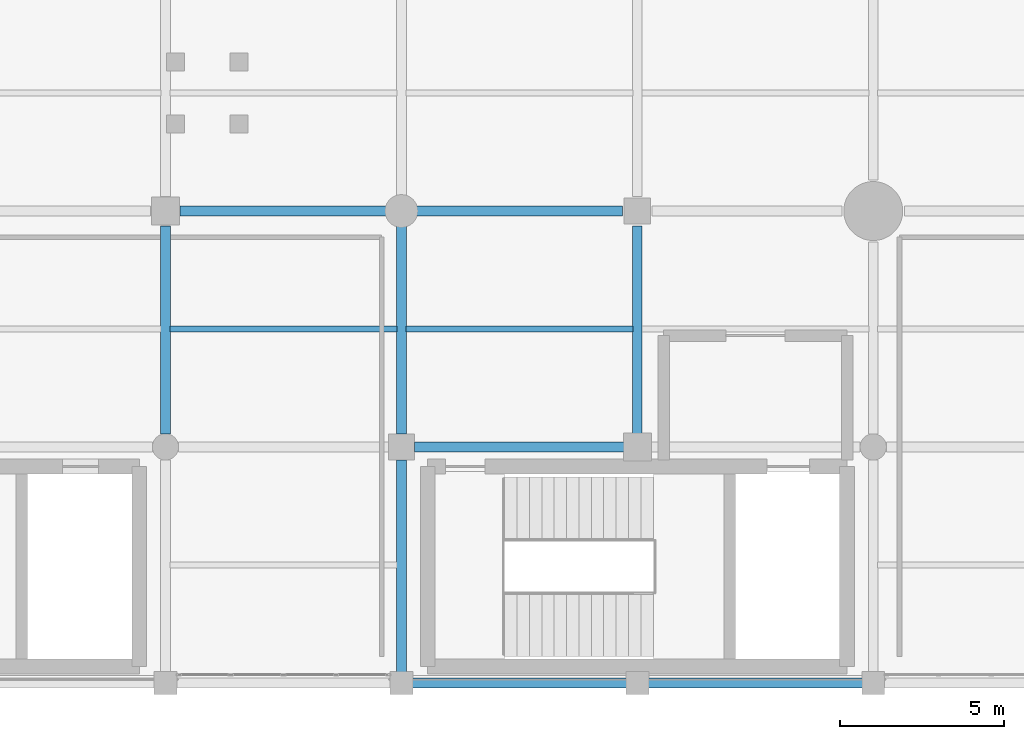
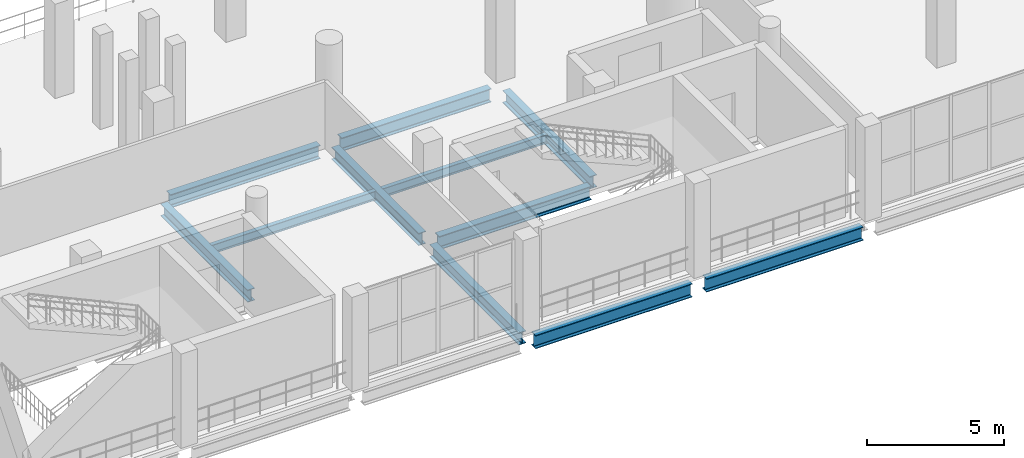
# One storey, part 26 of 153: 11 beams.
"""IFC4 building model written with IfcOpenShell, lengths in metres."""

from ifc_helpers import new_model, si_unit, direction, frame, origin, origin_2d, place, context, subcontext, project, spatial, i_section, extrude, material, material_profile, profile_set, type_object, element, save


model = new_model("IFC4")

# Units and contexts
model_context = context("Model", 3, precision=1e-05, world=origin(), true_north=direction((0.0, 1.0)))
body_context = subcontext(model_context, "Body", "Model", "MODEL_VIEW")
ifc_project = project(units=[si_unit("LENGTHUNIT", "METRE"), si_unit("AREAUNIT", "SQUARE_METRE"), si_unit("VOLUMEUNIT", "CUBIC_METRE"), si_unit("PLANEANGLEUNIT", "RADIAN"), si_unit("MASSUNIT", "GRAM", prefix="KILO")], contexts=[model_context])

# Site, building, storey
site_placement = place(None, origin())
site = spatial("IfcSite", under=ifc_project, at=site_placement, CompositionType="ELEMENT")
building_placement = place(site_placement, origin())
building = spatial("IfcBuilding", under=site, at=building_placement, Name="Qandorah Velis Arena", CompositionType="ELEMENT")
storey_placement = place(building_placement, frame((0.0, 0.0, 5.39990234375)))
storey = spatial("IfcBuildingStorey", under=building, at=storey_placement, Name="L01", CompositionType="ELEMENT", Elevation=5.39990234375)

# Beams
ifc_material = material(Name="Steel S355", Category="steel")
ifc_material_profile_1 = material_profile(ifc_material, i_section(OverallWidth=0.300048828125, OverallDepth=0.550048828125, WebThickness=0.014892578125, FlangeThickness=0.029052734375, FilletRadius=0.027099609375, at=origin_2d()), Name="HEB 550")
ifc_profile_set_1 = profile_set([ifc_material_profile_1], Name="Steel S355")
beam_type_1 = type_object("IfcBeamType", Name="STR-BM-HEB550", PredefinedType="BEAM", material=ifc_profile_set_1)
beam_1_placement = place(storey_placement, frame((64.800048828125, 7.60009765625, -0.635009765625), z_axis=(0.0, 1.0, 0.0), x_axis=(-1.0, 0.0, 0.0)))
element("IfcBeam", 1, at=beam_1_placement, inside=storey, type_object=beam_type_1, Name="Primary floor girder L01 Y-323", PredefinedType="BEAM", context=body_context, shape_type="SweptSolid", body=[
    extrude(i_section(OverallWidth=0.300048828125, OverallDepth=0.550048828125, WebThickness=0.014892578125, FlangeThickness=0.029052734375, FilletRadius=0.027099609375, at=origin_2d()), origin(), (0.0, 0.0, 1.0), 6.349853515625),
])
beam_2_placement = place(storey_placement, frame((72.0, 0.300048828125, -0.635009765625), z_axis=(0.0, 1.0, 0.0), x_axis=(-1.0, 0.0, 0.0)))
element("IfcBeam", 2, at=beam_2_placement, inside=storey, type_object=beam_type_1, Name="Primary floor girder L01 Y-328", PredefinedType="BEAM", context=body_context, shape_type="SweptSolid", body=[
    extrude(i_section(OverallWidth=0.300048828125, OverallDepth=0.550048828125, WebThickness=0.014892578125, FlangeThickness=0.029052734375, FilletRadius=0.027099609375, at=origin_2d()), origin(), (0.0, 0.0, 1.0), 6.5),
])
for number, where, z_axis, x_axis, name in (
    (3, (72.0, 7.60009765625, -0.635009765625), (0.0, 1.0, 0.0), (-1.0, 0.0, 0.0), "Primary floor girder L01 Y-329"),
    (4, (79.199951171875, 7.60009765625, -0.635009765625), (0.0, 1.0, 0.0), (-1.0, 0.0, 0.0), "Primary floor girder L01 Y-334"),
):
    element("IfcBeam", number, at=place(storey_placement, frame(where, z_axis=z_axis, x_axis=x_axis)), inside=storey, type_object=beam_type_1, Name=name, PredefinedType="BEAM", context=body_context, shape_type="SweptSolid", body=[
        extrude(i_section(OverallWidth=0.300048828125, OverallDepth=0.550048828125, WebThickness=0.014892578125, FlangeThickness=0.029052734375, FilletRadius=0.027099609375, at=origin_2d()), origin(), (0.0, 0.0, 1.0), 6.349853515625),
    ])
ifc_material_profile_2 = material_profile(ifc_material, i_section(OverallWidth=0.300048828125, OverallDepth=0.60009765625, WebThickness=0.015380859375, FlangeThickness=0.030029296875, FilletRadius=0.027099609375, at=origin_2d()), Name="HEB 600")
ifc_profile_set_2 = profile_set([ifc_material_profile_2], Name="Steel S355")
beam_type_2 = type_object("IfcBeamType", Name="STR-BM-HEB600", PredefinedType="BEAM", material=ifc_profile_set_2)
beam_3_placement = place(storey_placement, frame((72.300048828125, 0.0, -0.659912109375), z_axis=(1.0, 0.0, 0.0), x_axis=(0.0, 1.0, 0.0)))
element("IfcBeam", 5, at=beam_3_placement, inside=storey, type_object=beam_type_2, Name="Primary floor girder L01 X-011", PredefinedType="BEAM", context=body_context, shape_type="SweptSolid", body=[
    extrude(i_section(OverallWidth=0.300048828125, OverallDepth=0.60009765625, WebThickness=0.015380859375, FlangeThickness=0.030029296875, FilletRadius=0.027099609375, at=origin_2d()), origin(), (0.0, 0.0, 1.0), 6.599853515625),
])
beam_4_placement = place(storey_placement, frame((79.5, 0.0, -0.659912109375), z_axis=(1.0, 0.0, 0.0), x_axis=(0.0, 1.0, 0.0)))
element("IfcBeam", 6, at=beam_4_placement, inside=storey, type_object=beam_type_2, Name="Primary floor girder L01 X-012", PredefinedType="BEAM", context=body_context, shape_type="SweptSolid", body=[
    extrude(i_section(OverallWidth=0.300048828125, OverallDepth=0.60009765625, WebThickness=0.015380859375, FlangeThickness=0.030029296875, FilletRadius=0.027099609375, at=origin_2d()), origin(), (0.0, 0.0, 1.0), 6.60009765625),
])
beam_5_placement = place(storey_placement, frame((72.39990234375, 7.199951171875, -0.659912109375), z_axis=(1.0, 0.0, 0.0), x_axis=(0.0, 1.0, 0.0)))
element("IfcBeam", 7, at=beam_5_placement, inside=storey, type_object=beam_type_2, Name="Primary floor girder L01 X-027", PredefinedType="BEAM", context=body_context, shape_type="SweptSolid", body=[
    extrude(i_section(OverallWidth=0.300048828125, OverallDepth=0.60009765625, WebThickness=0.015380859375, FlangeThickness=0.030029296875, FilletRadius=0.027099609375, at=origin_2d()), origin(), (0.0, 0.0, 1.0), 6.400146484375),
])
for number, where, z_axis, x_axis, name in (
    (8, (65.25, 14.39990234375, -0.659912109375), (1.0, 0.0, 0.0), (0.0, 1.0, 0.0), "Primary floor girder L01 X-042"),
    (9, (72.449951171875, 14.39990234375, -0.659912109375), (1.0, 0.0, 0.0), (0.0, 1.0, 0.0), "Primary floor girder L01 X-043"),
):
    element("IfcBeam", number, at=place(storey_placement, frame(where, z_axis=z_axis, x_axis=x_axis)), inside=storey, type_object=beam_type_2, Name=name, PredefinedType="BEAM", context=body_context, shape_type="SweptSolid", body=[
        extrude(i_section(OverallWidth=0.300048828125, OverallDepth=0.60009765625, WebThickness=0.015380859375, FlangeThickness=0.030029296875, FilletRadius=0.027099609375, at=origin_2d()), origin(), (0.0, 0.0, 1.0), 6.300048828125),
    ])
ifc_material_profile_3 = material_profile(ifc_material, i_section(OverallWidth=0.179931640625, OverallDepth=0.39990234375, WebThickness=0.008544921875, FlangeThickness=0.013427734375, FilletRadius=0.02099609375, at=origin_2d()), Name="IPE 400")
ifc_profile_set_3 = profile_set([ifc_material_profile_3], Name="Steel S355")
beam_type_3 = type_object("IfcBeamType", Name="STR-JST-IPE400", PredefinedType="JOIST", material=ifc_profile_set_3)
for number, where, z_axis, x_axis, name in (
    (10, (64.93505859375, 10.800048828125, -0.559814453125), (1.0, 0.0, 0.0), (0.0, 1.0, 0.0), "Secondary floor joist L01-084"),
    (11, (72.135009765625, 10.800048828125, -0.559814453125), (1.0, 0.0, 0.0), (0.0, 1.0, 0.0), "Secondary floor joist L01-089"),
):
    element("IfcBeam", number, at=place(storey_placement, frame(where, z_axis=z_axis, x_axis=x_axis)), inside=storey, type_object=beam_type_3, Name=name, PredefinedType="JOIST", context=body_context, shape_type="SweptSolid", body=[
        extrude(i_section(OverallWidth=0.179931640625, OverallDepth=0.39990234375, WebThickness=0.008544921875, FlangeThickness=0.013427734375, FilletRadius=0.02099609375, at=origin_2d()), origin(), (0.0, 0.0, 1.0), 6.929931640625),
    ])

save(model, "model.ifc")
